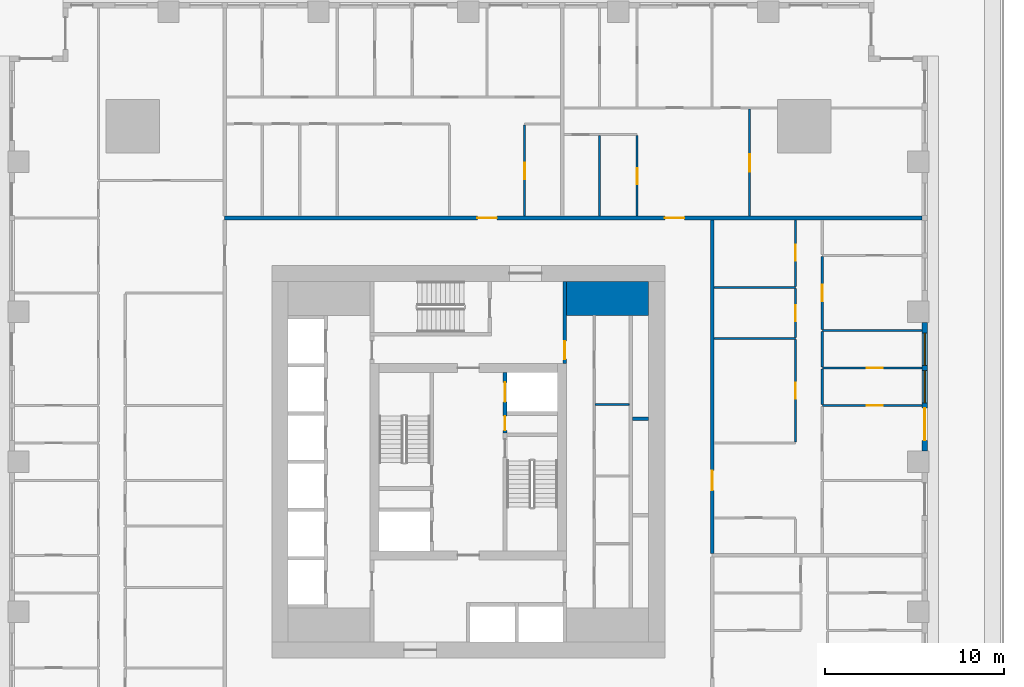
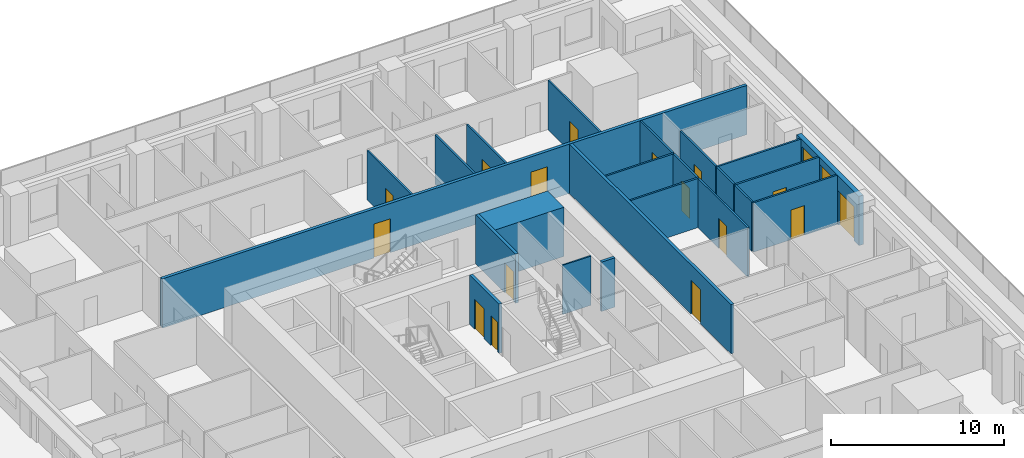
# One storey, part 9 of 16: 23 walls, 16 doors, 2 windows, 18 openings.
"""IFC4 building model written with IfcOpenShell, lengths in metres."""

from ifc_helpers import new_model, si_unit, direction, frame, frame_2d, origin, place, context, subcontext, project, spatial, rectangle, extrude, material, layer, layer_set, type_object, element, fill, save


model = new_model("IFC4")

# Units and contexts
model_context = context("Model", 3, precision=1e-05, world=origin(), true_north=direction((0.0, 1.0)))
body_context = subcontext(model_context, "Body", "Model", "MODEL_VIEW")
ifc_project = project(units=[si_unit("LENGTHUNIT", "METRE"), si_unit("AREAUNIT", "SQUARE_METRE"), si_unit("VOLUMEUNIT", "CUBIC_METRE"), si_unit("PLANEANGLEUNIT", "RADIAN"), si_unit("MASSUNIT", "GRAM", prefix="KILO")], contexts=[model_context])

# Site, building, storey
site_placement = place(None, origin())
site = spatial("IfcSite", under=ifc_project, at=site_placement, CompositionType="ELEMENT")
building_placement = place(site_placement, origin())
building = spatial("IfcBuilding", under=site, at=building_placement, Name="Khepri Terraces", CompositionType="ELEMENT")
storey_placement = place(building_placement, frame((0.0, 0.0, 27.0)))
storey = spatial("IfcBuildingStorey", under=building, at=storey_placement, Name="L05", CompositionType="ELEMENT", Elevation=27.0)

# Wall
ifc_material_1 = material(Name="Concrete C80/95", Category="concrete")
ifc_layer_1 = layer(ifc_material_1, 1.89990234375, Name="Concrete C80/95", Category="concrete")
ifc_layer_set_1 = layer_set([ifc_layer_1], Name="Concrete C80/95")
wall_type_1 = type_object("IfcWallType", Name="Core wall 1900 C80/95", PredefinedType="SHEAR", material=ifc_layer_set_1)
wall_1_placement = place(storey_placement, frame((5.5, 9.14990234375, 0.0), z_axis=(0.0, 0.0, 1.0), x_axis=(1.0, 0.0, 0.0)))
element("IfcWall", 1, at=wall_1_placement, inside=storey, type_object=wall_type_1, Name="Core wall PR04 L05", PredefinedType="SHEAR", context=body_context, shape_type="SweptSolid", body=[
    extrude(rectangle(XDim=4.60009765625, YDim=1.89990234375, at=frame_2d((2.300048828125, 0.0))), origin(), (0.0, 0.0, 1.0), 3.47998046875),
])

# Wall, openings, doors
ifc_layer_2 = layer(ifc_material_1, 0.199951171875, Name="Concrete C80/95", Category="concrete")
ifc_layer_set_2 = layer_set([ifc_layer_2], Name="Concrete C80/95")
wall_type_2 = type_object("IfcWallType", Name="Core wall 200 C80/95", PredefinedType="SHEAR", material=ifc_layer_set_2)
wall_2_placement = place(storey_placement, frame((2.050048828125, 1.60009765625, 0.0), z_axis=(0.0, 0.0, 1.0), x_axis=(0.0, 1.0, 0.0)))
wall_2 = element("IfcWall", 2, at=wall_2_placement, inside=storey, type_object=wall_type_2, Name="Core wall SH15 L05", PredefinedType="SHEAR", context=body_context, shape_type="SweptSolid", body=[
    extrude(rectangle(XDim=3.39990234375, YDim=0.199951171875, at=frame_2d((1.699951171875, 0.0))), origin(), (0.0, 0.0, 1.0), 3.47998046875),
])
opening_1_placement = place(wall_2_placement, frame((1.75, 0.0, 0.0)))
opening_1 = element("IfcOpeningElement", 3, at=opening_1_placement, cuts=wall_2, Name="Opening L05-C07", PredefinedType="OPENING", context=body_context, shape_type="SweptSolid", body=[
    extrude(rectangle(XDim=1.10009765625, YDim=2.10009765625, at=frame_2d((0.550048828125, 1.050048828125))), frame((0.0, 0.10986328125, 0.0), z_axis=(0.0, -1.0, 0.0), x_axis=(1.0, 0.0, 0.0)), (0.0, 0.0, 1.0), 0.219970703125),
])
opening_2_placement = place(wall_2_placement, frame((0.14990234375, 0.0, 0.0)))
opening_2 = element("IfcOpeningElement", 4, at=opening_2_placement, cuts=wall_2, Name="Opening L05-C11", PredefinedType="OPENING", context=body_context, shape_type="SweptSolid", body=[
    extrude(rectangle(XDim=0.800048828125, YDim=2.10009765625, at=frame_2d((0.39990234375, 1.050048828125))), frame((0.0, 0.10986328125, 0.0), z_axis=(0.0, -1.0, 0.0), x_axis=(1.0, 0.0, 0.0)), (0.0, 0.0, 1.0), 0.219970703125),
])
ifc_material_2 = material(Name="Stainless steel 304", Category="steel")
door_type_1 = type_object("IfcDoorType", Name="DR-CORE-FF-LANDING-1100", OperationType="NOTDEFINED", PredefinedType="DOOR", material=ifc_material_2)
door_1_placement = place(opening_1_placement, origin())
door_1 = element("IfcDoor", 5, at=door_1_placement, inside=storey, type_object=door_type_1, Name="Firefighting lift landing door L05-C07", OperationType="SLIDING_TO_LEFT", OverallHeight=2.10009765625, OverallWidth=1.10009765625, PredefinedType="DOOR", context=body_context, shape_type="SweptSolid", body=[
    extrude(rectangle(XDim=1.10009765625, YDim=2.10009765625, at=frame_2d((0.550048828125, 1.050048828125))), frame((0.0, 0.02490234375, 0.0), z_axis=(0.0, -1.0, 0.0), x_axis=(1.0, 0.0, 0.0)), (0.0, 0.0, 1.0), 0.050048828125),
])
fill(opening_1, door_1)
ifc_material_3 = material(Name="Painted steel", Category="steel")
door_type_2 = type_object("IfcDoorType", Name="DR-CORE-RISER-800", OperationType="NOTDEFINED", PredefinedType="DOOR", material=ifc_material_3)
door_2_placement = place(opening_2_placement, frame((0.800048828125, 0.0, 0.0), z_axis=(0.0, 0.0, 1.0), x_axis=(-1.0, 0.0, 0.0)))
door_2 = element("IfcDoor", 6, at=door_2_placement, inside=storey, type_object=door_type_2, Name="Riser door L05-C11", OperationType="SINGLE_SWING_RIGHT", OverallHeight=2.10009765625, OverallWidth=0.800048828125, PredefinedType="DOOR", context=body_context, shape_type="SweptSolid", body=[
    extrude(rectangle(XDim=0.800048828125, YDim=2.10009765625, at=frame_2d((0.39990234375, 1.050048828125))), frame((0.0, 0.02490234375, 0.0), z_axis=(0.0, -1.0, 0.0), x_axis=(1.0, 0.0, 0.0)), (0.0, 0.0, 1.0), 0.050048828125),
])
fill(opening_2, door_2)

# Walls
wall_3_placement = place(storey_placement, frame((9.199951171875, 2.39990234375, 0.0), z_axis=(0.0, 0.0, 1.0), x_axis=(1.0, 0.0, 0.0)))
element("IfcWall", 7, at=wall_3_placement, inside=storey, type_object=wall_type_2, Name="Core wall SH16 L05", PredefinedType="SHEAR", context=body_context, shape_type="SweptSolid", body=[
    extrude(rectangle(XDim=0.900146484375, YDim=0.199951171875, at=frame_2d((0.4501953125, 0.0))), origin(), (0.0, 0.0, 1.0), 3.47998046875),
])
ifc_material_4 = material(Name="Fire-rated gypsum board partition")
ifc_layer_3 = layer(ifc_material_4, 0.10009765625, Name="Fire-rated gypsum board partition")
ifc_layer_set_3 = layer_set([ifc_layer_3], Name="Fire-rated gypsum board partition")
wall_type_3 = type_object("IfcWallType", Name="WL-CORE-PART-100", PredefinedType="PARTITIONING", material=ifc_layer_set_3)
wall_4_placement = place(storey_placement, frame((7.10009765625, 3.199951171875, 0.0), z_axis=(0.0, 0.0, 1.0), x_axis=(1.0, 0.0, 0.0)))
element("IfcWall", 8, at=wall_4_placement, inside=storey, type_object=wall_type_3, Name="Core partition PT06 L05", PredefinedType="PARTITIONING", context=body_context, shape_type="SweptSolid", body=[
    extrude(rectangle(XDim=1.89990234375, YDim=0.10009765625, at=frame_2d((0.949951171875, 0.0))), origin(), (0.0, 0.0, 1.0), 3.47998046875),
])

# Wall, opening, door
ifc_layer_4 = layer(ifc_material_4, 0.199951171875, Name="Fire-rated gypsum board partition")
ifc_layer_set_4 = layer_set([ifc_layer_4], Name="Fire-rated gypsum board partition")
wall_type_4 = type_object("IfcWallType", Name="WL-CORE-PART-200", PredefinedType="PARTITIONING", material=ifc_layer_set_4)
wall_5_placement = place(storey_placement, frame((5.39990234375, 5.5, 0.0), z_axis=(0.0, 0.0, 1.0), x_axis=(0.0, 1.0, 0.0)))
wall_5 = element("IfcWall", 9, at=wall_5_placement, inside=storey, type_object=wall_type_4, Name="Core partition PT08 L05", PredefinedType="PARTITIONING", context=body_context, shape_type="SweptSolid", body=[
    extrude(rectangle(XDim=4.60009765625, YDim=0.199951171875, at=frame_2d((2.300048828125, 0.0))), origin(), (0.0, 0.0, 1.0), 3.47998046875),
])
opening_3_placement = place(wall_5_placement, frame((0.25, 0.0, 0.0)))
opening_3 = element("IfcOpeningElement", 10, at=opening_3_placement, cuts=wall_5, Name="Opening L05-C17", PredefinedType="OPENING", context=body_context, shape_type="SweptSolid", body=[
    extrude(rectangle(XDim=1.0, YDim=2.10009765625, at=frame_2d((0.5, 1.050048828125))), frame((0.0, 0.10986328125, 0.0), z_axis=(0.0, -1.0, 0.0), x_axis=(1.0, 0.0, 0.0)), (0.0, 0.0, 1.0), 0.219970703125),
])
door_type_3 = type_object("IfcDoorType", Name="DR-CORE-LOBBY-1000", OperationType="NOTDEFINED", PredefinedType="DOOR", material=ifc_material_3)
door_3_placement = place(opening_3_placement, origin())
door_3 = element("IfcDoor", 11, at=door_3_placement, inside=storey, type_object=door_type_3, Name="Lobby door L05-C17", OperationType="SINGLE_SWING_LEFT", OverallHeight=2.10009765625, OverallWidth=1.0, PredefinedType="DOOR", context=body_context, shape_type="SweptSolid", body=[
    extrude(rectangle(XDim=1.0, YDim=2.10009765625, at=frame_2d((0.5, 1.050048828125))), frame((0.0, 0.02490234375, 0.0), z_axis=(0.0, -1.0, 0.0), x_axis=(1.0, 0.0, 0.0)), (0.0, 0.0, 1.0), 0.050048828125),
])
fill(opening_3, door_3)

ifc_material_5 = material(Name="Fire-rated gypsum plasterboard partition, mineral wool")
ifc_layer_5 = layer(ifc_material_5, 0.199951171875, Name="Fire-rated gypsum plasterboard partition, mineral wool")
ifc_layer_set_5 = layer_set([ifc_layer_5], Name="Fire-rated gypsum plasterboard partition, mineral wool")
wall_type_5 = type_object("IfcWallType", Name="WL-CORR-200", PredefinedType="PARTITIONING", material=ifc_layer_set_5)
wall_6_placement = place(storey_placement, frame((13.64990234375, -5.14990234375, 0.0), z_axis=(0.0, 0.0, 1.0), x_axis=(0.0, 1.0, 0.0)))
wall_6 = element("IfcWall", 12, at=wall_6_placement, inside=storey, type_object=wall_type_5, Name="Partition P-048 L05", PredefinedType="PARTITIONING", context=body_context, shape_type="SweptSolid", body=[
    extrude(rectangle(XDim=18.699951171875, YDim=0.199951171875, at=frame_2d((9.35009765625, 0.0))), origin(), (0.0, 0.0, 1.0), 3.47998046875),
])
opening_4_placement = place(wall_6_placement, frame((3.550048828125, 0.0, 0.0)))
opening_4 = element("IfcOpeningElement", 13, at=opening_4_placement, cuts=wall_6, Name="Opening D1", PredefinedType="OPENING", context=body_context, shape_type="SweptSolid", body=[
    extrude(rectangle(XDim=1.10009765625, YDim=2.39990234375, at=frame_2d((0.550048828125, 1.199951171875))), frame((0.0, 0.10986328125, 0.0), z_axis=(0.0, -1.0, 0.0), x_axis=(1.0, 0.0, 0.0)), (0.0, 0.0, 1.0), 0.219970703125),
])
ifc_material_6 = material(Name="Solid-core timber door leaf, flat entrance door", Category="wood")
door_type_4 = type_object("IfcDoorType", Name="DR-ENT-1100", OperationType="NOTDEFINED", PredefinedType="DOOR", material=ifc_material_6)
door_4_placement = place(opening_4_placement, frame((1.10009765625, 0.0, 0.0), z_axis=(0.0, 0.0, 1.0), x_axis=(-1.0, 0.0, 0.0)))
door_4 = element("IfcDoor", 14, at=door_4_placement, inside=storey, type_object=door_type_4, Name="Flat B2 entrance door", OperationType="SINGLE_SWING_RIGHT", OverallHeight=2.39990234375, OverallWidth=1.10009765625, PredefinedType="DOOR", context=body_context, shape_type="SweptSolid", body=[
    extrude(rectangle(XDim=1.10009765625, YDim=2.39990234375, at=frame_2d((0.550048828125, 1.199951171875))), frame((0.0, 0.02490234375, 0.0), z_axis=(0.0, -1.0, 0.0), x_axis=(1.0, 0.0, 0.0)), (0.0, 0.0, 1.0), 0.050048828125),
])
fill(opening_4, door_4)

# Wall, openings, doors
wall_7_placement = place(storey_placement, frame((-13.64990234375, 13.64990234375, 0.0), z_axis=(0.0, 0.0, 1.0), x_axis=(1.0, 0.0, 0.0)))
wall_7 = element("IfcWall", 15, at=wall_7_placement, inside=storey, type_object=wall_type_5, Name="Partition P-084 L05", PredefinedType="PARTITIONING", context=body_context, shape_type="SweptSolid", body=[
    extrude(rectangle(XDim=39.06982421875, YDim=0.199951171875, at=frame_2d((19.534912109375, 0.0))), origin(), (0.0, 0.0, 1.0), 3.47998046875),
])
opening_5_placement = place(wall_7_placement, frame((24.64990234375, 0.0, 0.0)))
opening_5 = element("IfcOpeningElement", 16, at=opening_5_placement, cuts=wall_7, Name="Opening D1", PredefinedType="OPENING", context=body_context, shape_type="SweptSolid", body=[
    extrude(rectangle(XDim=1.10009765625, YDim=2.39990234375, at=frame_2d((0.550048828125, 1.199951171875))), frame((0.0, 0.10986328125, 0.0), z_axis=(0.0, -1.0, 0.0), x_axis=(1.0, 0.0, 0.0)), (0.0, 0.0, 1.0), 0.219970703125),
])
opening_6_placement = place(wall_7_placement, frame((14.14990234375, 0.0, 0.0)))
opening_6 = element("IfcOpeningElement", 17, at=opening_6_placement, cuts=wall_7, Name="Opening D1", PredefinedType="OPENING", context=body_context, shape_type="SweptSolid", body=[
    extrude(rectangle(XDim=1.10009765625, YDim=2.39990234375, at=frame_2d((0.550048828125, 1.199951171875))), frame((0.0, 0.10986328125, 0.0), z_axis=(0.0, -1.0, 0.0), x_axis=(1.0, 0.0, 0.0)), (0.0, 0.0, 1.0), 0.219970703125),
])
door_5_placement = place(opening_5_placement, origin())
door_5 = element("IfcDoor", 18, at=door_5_placement, inside=storey, type_object=door_type_4, Name="Flat C1 entrance door", OperationType="SINGLE_SWING_RIGHT", OverallHeight=2.39990234375, OverallWidth=1.10009765625, PredefinedType="DOOR", context=body_context, shape_type="SweptSolid", body=[
    extrude(rectangle(XDim=1.10009765625, YDim=2.39990234375, at=frame_2d((0.550048828125, 1.199951171875))), frame((0.0, 0.02490234375, 0.0), z_axis=(0.0, -1.0, 0.0), x_axis=(1.0, 0.0, 0.0)), (0.0, 0.0, 1.0), 0.050048828125),
])
fill(opening_5, door_5)
door_6_placement = place(opening_6_placement, origin())
door_6 = element("IfcDoor", 19, at=door_6_placement, inside=storey, type_object=door_type_4, Name="Flat C2 entrance door", OperationType="SINGLE_SWING_LEFT", OverallHeight=2.39990234375, OverallWidth=1.10009765625, PredefinedType="DOOR", context=body_context, shape_type="SweptSolid", body=[
    extrude(rectangle(XDim=1.10009765625, YDim=2.39990234375, at=frame_2d((0.550048828125, 1.199951171875))), frame((0.0, 0.02490234375, 0.0), z_axis=(0.0, -1.0, 0.0), x_axis=(1.0, 0.0, 0.0)), (0.0, 0.0, 1.0), 0.050048828125),
])
fill(opening_6, door_6)

# Wall, openings, door, windows
ifc_material_7 = material(Name="Precast concrete C50/60 warm stone", Category="masonry")
ifc_layer_6 = layer(ifc_material_7, 0.300048828125, Name="Precast concrete C50/60 warm stone", Category="masonry")
ifc_layer_set_6 = layer_set([ifc_layer_6], Name="Precast concrete C50/60 warm stone")
wall_type_6 = type_object("IfcWallType", Name="WL-EXT-PRECAST-300", PredefinedType="STANDARD", material=ifc_layer_set_6)
wall_8_placement = place(storey_placement, frame((25.570068359375, 0.60009765625, 0.0), z_axis=(0.0, 0.0, 1.0), x_axis=(0.0, 1.0, 0.0)))
wall_8 = element("IfcWall", 20, at=wall_8_placement, inside=storey, type_object=wall_type_6, Name="External wall L05 E", PredefinedType="STANDARD", context=body_context, shape_type="SweptSolid", body=[
    extrude(rectangle(XDim=7.199951171875, YDim=0.300048828125, at=frame_2d((3.60009765625, 0.0))), origin(), (0.0, 0.0, 1.0), 3.47998046875),
])
opening_7_placement = place(wall_8_placement, frame((0.60009765625, 0.0, 0.0)))
opening_7 = element("IfcOpeningElement", 21, at=opening_7_placement, cuts=wall_8, Name="Opening ED-L05-06", PredefinedType="OPENING", context=body_context, shape_type="SweptSolid", body=[
    extrude(rectangle(XDim=1.800048828125, YDim=2.39990234375, at=frame_2d((0.89990234375, 1.199951171875))), frame((0.0, 0.16015625, 0.0), z_axis=(0.0, -1.0, 0.0), x_axis=(1.0, 0.0, 0.0)), (0.0, 0.0, 1.0), 0.320068359375),
])
opening_8_placement = place(wall_8_placement, frame((2.699951171875, 0.0, 0.89990234375)))
opening_8 = element("IfcOpeningElement", 22, at=opening_8_placement, cuts=wall_8, Name="Opening W1", PredefinedType="OPENING", context=body_context, shape_type="SweptSolid", body=[
    extrude(rectangle(XDim=1.800048828125, YDim=2.10009765625, at=frame_2d((0.89990234375, 1.050048828125))), frame((0.0, 0.16015625, 0.0), z_axis=(0.0, -1.0, 0.0), x_axis=(1.0, 0.0, 0.0)), (0.0, 0.0, 1.0), 0.320068359375),
])
opening_9_placement = place(wall_8_placement, frame((4.800048828125, 0.0, 0.89990234375)))
opening_9 = element("IfcOpeningElement", 23, at=opening_9_placement, cuts=wall_8, Name="Opening W1", PredefinedType="OPENING", context=body_context, shape_type="SweptSolid", body=[
    extrude(rectangle(XDim=1.800048828125, YDim=2.10009765625, at=frame_2d((0.89990234375, 1.050048828125))), frame((0.0, 0.16015625, 0.0), z_axis=(0.0, -1.0, 0.0), x_axis=(1.0, 0.0, 0.0)), (0.0, 0.0, 1.0), 0.320068359375),
])
ifc_material_8 = material(Name="Anodised aluminium bronze glazed door", Category="aluminium")
door_type_5 = type_object("IfcDoorType", Name="DR-BAL-SLIDE-1800x2400", OperationType="NOTDEFINED", PredefinedType="DOOR", material=ifc_material_8)
door_7_placement = place(opening_7_placement, origin())
door_7 = element("IfcDoor", 24, at=door_7_placement, inside=storey, type_object=door_type_5, Name="Balcony door L05 E", OperationType="SLIDING_TO_LEFT", OverallHeight=2.39990234375, OverallWidth=1.800048828125, PredefinedType="DOOR", context=body_context, shape_type="SweptSolid", body=[
    extrude(rectangle(XDim=1.800048828125, YDim=2.39990234375, at=frame_2d((0.89990234375, 1.199951171875))), frame((0.0, 0.02490234375, 0.0), z_axis=(0.0, -1.0, 0.0), x_axis=(1.0, 0.0, 0.0)), (0.0, 0.0, 1.0), 0.050048828125),
])
fill(opening_7, door_7)
ifc_material_9 = material(Name="Clear glass", Category="glass")
window_type = type_object("IfcWindowType", Name="WIN-RES-1800x2100", PartitioningType="SINGLE_PANEL", PredefinedType="WINDOW", material=ifc_material_9)
window_1_placement = place(opening_8_placement, origin())
window_1 = element("IfcWindow", 25, at=window_1_placement, inside=storey, type_object=window_type, Name="Window L05 E", OverallHeight=2.10009765625, OverallWidth=1.800048828125, PartitioningType="SINGLE_PANEL", PredefinedType="WINDOW", context=body_context, shape_type="SweptSolid", body=[
    extrude(rectangle(XDim=1.800048828125, YDim=2.10009765625, at=frame_2d((0.89990234375, 1.050048828125))), frame((0.0, 0.030029296875, 0.0), z_axis=(0.0, -1.0, 0.0), x_axis=(1.0, 0.0, 0.0)), (0.0, 0.0, 1.0), 0.06005859375),
])
fill(opening_8, window_1)
window_2_placement = place(opening_9_placement, origin())
window_2 = element("IfcWindow", 26, at=window_2_placement, inside=storey, type_object=window_type, Name="Window L05 E", OverallHeight=2.10009765625, OverallWidth=1.800048828125, PartitioningType="SINGLE_PANEL", PredefinedType="WINDOW", context=body_context, shape_type="SweptSolid", body=[
    extrude(rectangle(XDim=1.800048828125, YDim=2.10009765625, at=frame_2d((0.89990234375, 1.050048828125))), frame((0.0, 0.030029296875, 0.0), z_axis=(0.0, -1.0, 0.0), x_axis=(1.0, 0.0, 0.0)), (0.0, 0.0, 1.0), 0.06005859375),
])
fill(opening_9, window_2)

# Wall, opening, door
ifc_material_10 = material(Name="Gypsum plasterboard partition")
ifc_layer_7 = layer(ifc_material_10, 0.1201171875, Name="Gypsum plasterboard partition")
ifc_layer_set_7 = layer_set([ifc_layer_7], Name="Gypsum plasterboard partition")
wall_type_7 = type_object("IfcWallType", Name="WL-PART-120", PredefinedType="PARTITIONING", material=ifc_layer_set_7)
wall_9_placement = place(storey_placement, frame((18.320068359375, 1.110107421875, 0.0), z_axis=(0.0, 0.0, 1.0), x_axis=(0.0, 1.0, 0.0)))
wall_9 = element("IfcWall", 27, at=wall_9_placement, inside=storey, type_object=wall_type_7, Name="Partition P-063 L05", PredefinedType="PARTITIONING", context=body_context, shape_type="SweptSolid", body=[
    extrude(rectangle(XDim=5.72998046875, YDim=0.1201171875, at=frame_2d((2.864990234375, 0.0))), origin(), (0.0, 0.0, 1.0), 3.47998046875),
])
opening_10_placement = place(wall_9_placement, frame((2.4150390625, 0.0, 0.0)))
opening_10 = element("IfcOpeningElement", 28, at=opening_10_placement, cuts=wall_9, Name="Opening D3", PredefinedType="OPENING", context=body_context, shape_type="SweptSolid", body=[
    extrude(rectangle(XDim=0.89990234375, YDim=2.10009765625, at=frame_2d((0.449951171875, 1.050048828125))), frame((0.0, 0.070068359375, 0.0), z_axis=(0.0, -1.0, 0.0), x_axis=(1.0, 0.0, 0.0)), (0.0, 0.0, 1.0), 0.14013671875),
])
ifc_material_11 = material(Name="Timber door leaf", Category="wood")
door_type_6 = type_object("IfcDoorType", Name="DR-INT-900", OperationType="NOTDEFINED", PredefinedType="DOOR", material=ifc_material_11)
door_8_placement = place(opening_10_placement, origin())
door_8 = element("IfcDoor", 29, at=door_8_placement, inside=storey, type_object=door_type_6, Name="Door Kitchen", OperationType="SINGLE_SWING_RIGHT", OverallHeight=2.10009765625, OverallWidth=0.89990234375, PredefinedType="DOOR", context=body_context, shape_type="SweptSolid", body=[
    extrude(rectangle(XDim=0.89990234375, YDim=2.10009765625, at=frame_2d((0.449951171875, 1.050048828125))), frame((0.0, 0.02490234375, 0.0), z_axis=(0.0, -1.0, 0.0), x_axis=(1.0, 0.0, 0.0)), (0.0, 0.0, 1.0), 0.050048828125),
])
fill(opening_10, door_8)

wall_10_placement = place(storey_placement, frame((19.820068359375, 3.14990234375, 0.0), z_axis=(0.0, 0.0, 1.0), x_axis=(1.0, 0.0, 0.0)))
wall_10 = element("IfcWall", 30, at=wall_10_placement, inside=storey, type_object=wall_type_7, Name="Partition P-066 L05", PredefinedType="PARTITIONING", context=body_context, shape_type="SweptSolid", body=[
    extrude(rectangle(XDim=5.599853515625, YDim=0.1201171875, at=frame_2d((2.7998046875, 0.0))), origin(), (0.0, 0.0, 1.0), 3.47998046875),
])
opening_11_placement = place(wall_10_placement, frame((2.5, 0.0, 0.0)))
opening_11 = element("IfcOpeningElement", 31, at=opening_11_placement, cuts=wall_10, Name="Opening D3", PredefinedType="OPENING", context=body_context, shape_type="SweptSolid", body=[
    extrude(rectangle(XDim=0.89990234375, YDim=2.10009765625, at=frame_2d((0.449951171875, 1.050048828125))), frame((0.0, 0.070068359375, 0.0), z_axis=(0.0, -1.0, 0.0), x_axis=(1.0, 0.0, 0.0)), (0.0, 0.0, 1.0), 0.14013671875),
])
door_9_placement = place(opening_11_placement, origin())
door_9 = element("IfcDoor", 32, at=door_9_placement, inside=storey, type_object=door_type_6, Name="Door Dressing Room", OperationType="SINGLE_SWING_RIGHT", OverallHeight=2.10009765625, OverallWidth=0.89990234375, PredefinedType="DOOR", context=body_context, shape_type="SweptSolid", body=[
    extrude(rectangle(XDim=0.89990234375, YDim=2.10009765625, at=frame_2d((0.449951171875, 1.050048828125))), frame((0.0, 0.02490234375, 0.0), z_axis=(0.0, -1.0, 0.0), x_axis=(1.0, 0.0, 0.0)), (0.0, 0.0, 1.0), 0.050048828125),
])
fill(opening_11, door_9)

# Wall
wall_11_placement = place(storey_placement, frame((19.820068359375, 3.2099609375, 0.0), z_axis=(0.0, 0.0, 1.0), x_axis=(0.0, 1.0, 0.0)))
element("IfcWall", 33, at=wall_11_placement, inside=storey, type_object=wall_type_7, Name="Partition P-069 L05", PredefinedType="PARTITIONING", context=body_context, shape_type="SweptSolid", body=[
    extrude(rectangle(XDim=1.97998046875, YDim=0.1201171875, at=frame_2d((0.989990234375, 0.0))), origin(), (0.0, 0.0, 1.0), 3.47998046875),
])

# Wall, opening, door
wall_12_placement = place(storey_placement, frame((19.820068359375, 5.25, 0.0), z_axis=(0.0, 0.0, 1.0), x_axis=(1.0, 0.0, 0.0)))
wall_12 = element("IfcWall", 34, at=wall_12_placement, inside=storey, type_object=wall_type_7, Name="Partition P-070 L05", PredefinedType="PARTITIONING", context=body_context, shape_type="SweptSolid", body=[
    extrude(rectangle(XDim=5.599853515625, YDim=0.1201171875, at=frame_2d((2.7998046875, 0.0))), origin(), (0.0, 0.0, 1.0), 3.47998046875),
])
opening_12_placement = place(wall_12_placement, frame((2.5, 0.0, 0.0)))
opening_12 = element("IfcOpeningElement", 35, at=opening_12_placement, cuts=wall_12, Name="Opening D4", PredefinedType="OPENING", context=body_context, shape_type="SweptSolid", body=[
    extrude(rectangle(XDim=0.89990234375, YDim=2.10009765625, at=frame_2d((0.449951171875, 1.050048828125))), frame((0.0, 0.070068359375, 0.0), z_axis=(0.0, -1.0, 0.0), x_axis=(1.0, 0.0, 0.0)), (0.0, 0.0, 1.0), 0.14013671875),
])
ifc_material_12 = material(Name="Timber door leaf, moisture resistant", Category="wood")
door_type_7 = type_object("IfcDoorType", Name="DR-WET-900", OperationType="NOTDEFINED", PredefinedType="DOOR", material=ifc_material_12)
door_10_placement = place(opening_12_placement, origin())
door_10 = element("IfcDoor", 36, at=door_10_placement, inside=storey, type_object=door_type_7, Name="Door Bathroom", OperationType="SINGLE_SWING_RIGHT", OverallHeight=2.10009765625, OverallWidth=0.89990234375, PredefinedType="DOOR", context=body_context, shape_type="SweptSolid", body=[
    extrude(rectangle(XDim=0.89990234375, YDim=2.10009765625, at=frame_2d((0.449951171875, 1.050048828125))), frame((0.0, 0.02490234375, 0.0), z_axis=(0.0, -1.0, 0.0), x_axis=(1.0, 0.0, 0.0)), (0.0, 0.0, 1.0), 0.050048828125),
])
fill(opening_12, door_10)

# Walls
wall_13_placement = place(storey_placement, frame((19.820068359375, 5.31005859375, 0.0), z_axis=(0.0, 0.0, 1.0), x_axis=(0.0, 1.0, 0.0)))
element("IfcWall", 37, at=wall_13_placement, inside=storey, type_object=wall_type_7, Name="Partition P-071 L05", PredefinedType="PARTITIONING", context=body_context, shape_type="SweptSolid", body=[
    extrude(rectangle(XDim=1.97998046875, YDim=0.1201171875, at=frame_2d((0.989990234375, 0.0))), origin(), (0.0, 0.0, 1.0), 3.47998046875),
])
wall_14_placement = place(storey_placement, frame((13.75, 6.89990234375, 0.0), z_axis=(0.0, 0.0, 1.0), x_axis=(1.0, 0.0, 0.0)))
element("IfcWall", 38, at=wall_14_placement, inside=storey, type_object=wall_type_7, Name="Partition P-072 L05", PredefinedType="PARTITIONING", context=body_context, shape_type="SweptSolid", body=[
    extrude(rectangle(XDim=4.570068359375, YDim=0.1201171875, at=frame_2d((2.28515625, 0.0))), origin(), (0.0, 0.0, 1.0), 3.47998046875),
])

# Wall, opening, door
wall_15_placement = place(storey_placement, frame((18.320068359375, 6.9599609375, 0.0), z_axis=(0.0, 0.0, 1.0), x_axis=(0.0, 1.0, 0.0)))
wall_15 = element("IfcWall", 39, at=wall_15_placement, inside=storey, type_object=wall_type_7, Name="Partition P-073 L05", PredefinedType="PARTITIONING", context=body_context, shape_type="SweptSolid", body=[
    extrude(rectangle(XDim=2.72998046875, YDim=0.1201171875, at=frame_2d((1.364990234375, 0.0))), origin(), (0.0, 0.0, 1.0), 3.47998046875),
])
opening_13_placement = place(wall_15_placement, frame((0.9150390625, 0.0, 0.0)))
opening_13 = element("IfcOpeningElement", 40, at=opening_13_placement, cuts=wall_15, Name="Opening D4", PredefinedType="OPENING", context=body_context, shape_type="SweptSolid", body=[
    extrude(rectangle(XDim=0.89990234375, YDim=2.10009765625, at=frame_2d((0.449951171875, 1.050048828125))), frame((0.0, 0.070068359375, 0.0), z_axis=(0.0, -1.0, 0.0), x_axis=(1.0, 0.0, 0.0)), (0.0, 0.0, 1.0), 0.14013671875),
])
door_11_placement = place(opening_13_placement, origin())
door_11 = element("IfcDoor", 41, at=door_11_placement, inside=storey, type_object=door_type_7, Name="Door Powder Room", OperationType="SINGLE_SWING_LEFT", OverallHeight=2.10009765625, OverallWidth=0.89990234375, PredefinedType="DOOR", context=body_context, shape_type="SweptSolid", body=[
    extrude(rectangle(XDim=0.89990234375, YDim=2.10009765625, at=frame_2d((0.449951171875, 1.050048828125))), frame((0.0, 0.02490234375, 0.0), z_axis=(0.0, -1.0, 0.0), x_axis=(1.0, 0.0, 0.0)), (0.0, 0.0, 1.0), 0.050048828125),
])
fill(opening_13, door_11)

# Wall
wall_16_placement = place(storey_placement, frame((19.820068359375, 7.35009765625, 0.0), z_axis=(0.0, 0.0, 1.0), x_axis=(1.0, 0.0, 0.0)))
element("IfcWall", 42, at=wall_16_placement, inside=storey, type_object=wall_type_7, Name="Partition P-074 L05", PredefinedType="PARTITIONING", context=body_context, shape_type="SweptSolid", body=[
    extrude(rectangle(XDim=5.599853515625, YDim=0.1201171875, at=frame_2d((2.7998046875, 0.0))), origin(), (0.0, 0.0, 1.0), 3.47998046875),
])

# Wall, opening, door
wall_17_placement = place(storey_placement, frame((19.820068359375, 7.409912109375, 0.0), z_axis=(0.0, 0.0, 1.0), x_axis=(0.0, 1.0, 0.0)))
wall_17 = element("IfcWall", 43, at=wall_17_placement, inside=storey, type_object=wall_type_7, Name="Partition P-075 L05", PredefinedType="PARTITIONING", context=body_context, shape_type="SweptSolid", body=[
    extrude(rectangle(XDim=4.080078125, YDim=0.1201171875, at=frame_2d((2.0400390625, 0.0))), origin(), (0.0, 0.0, 1.0), 3.47998046875),
])
opening_14_placement = place(wall_17_placement, frame((1.590087890625, 0.0, 0.0)))
opening_14 = element("IfcOpeningElement", 44, at=opening_14_placement, cuts=wall_17, Name="Opening D3", PredefinedType="OPENING", context=body_context, shape_type="SweptSolid", body=[
    extrude(rectangle(XDim=0.89990234375, YDim=2.10009765625, at=frame_2d((0.449951171875, 1.050048828125))), frame((0.0, 0.070068359375, 0.0), z_axis=(0.0, -1.0, 0.0), x_axis=(1.0, 0.0, 0.0)), (0.0, 0.0, 1.0), 0.14013671875),
])
door_12_placement = place(opening_14_placement, frame((0.89990234375, 0.0, 0.0), z_axis=(0.0, 0.0, 1.0), x_axis=(-1.0, 0.0, 0.0)))
door_12 = element("IfcDoor", 45, at=door_12_placement, inside=storey, type_object=door_type_6, Name="Door Bedroom", OperationType="SINGLE_SWING_RIGHT", OverallHeight=2.10009765625, OverallWidth=0.89990234375, PredefinedType="DOOR", context=body_context, shape_type="SweptSolid", body=[
    extrude(rectangle(XDim=0.89990234375, YDim=2.10009765625, at=frame_2d((0.449951171875, 1.050048828125))), frame((0.0, 0.02490234375, 0.0), z_axis=(0.0, -1.0, 0.0), x_axis=(1.0, 0.0, 0.0)), (0.0, 0.0, 1.0), 0.050048828125),
])
fill(opening_14, door_12)

# Wall
wall_18_placement = place(storey_placement, frame((13.75, 9.75, 0.0), z_axis=(0.0, 0.0, 1.0), x_axis=(1.0, 0.0, 0.0)))
element("IfcWall", 46, at=wall_18_placement, inside=storey, type_object=wall_type_7, Name="Partition P-079 L05", PredefinedType="PARTITIONING", context=body_context, shape_type="SweptSolid", body=[
    extrude(rectangle(XDim=4.570068359375, YDim=0.1201171875, at=frame_2d((2.28515625, 0.0))), origin(), (0.0, 0.0, 1.0), 3.47998046875),
])

# Wall, opening, door
wall_19_placement = place(storey_placement, frame((18.320068359375, 9.81005859375, 0.0), z_axis=(0.0, 0.0, 1.0), x_axis=(0.0, 1.0, 0.0)))
wall_19 = element("IfcWall", 47, at=wall_19_placement, inside=storey, type_object=wall_type_7, Name="Partition P-080 L05", PredefinedType="PARTITIONING", context=body_context, shape_type="SweptSolid", body=[
    extrude(rectangle(XDim=3.739990234375, YDim=0.1201171875, at=frame_2d((1.8701171875, 0.0))), origin(), (0.0, 0.0, 1.0), 3.47998046875),
])
opening_15_placement = place(wall_19_placement, frame((1.43994140625, 0.0, 0.0)))
opening_15 = element("IfcOpeningElement", 48, at=opening_15_placement, cuts=wall_19, Name="Opening D4", PredefinedType="OPENING", context=body_context, shape_type="SweptSolid", body=[
    extrude(rectangle(XDim=0.89990234375, YDim=2.10009765625, at=frame_2d((0.449951171875, 1.050048828125))), frame((0.0, 0.070068359375, 0.0), z_axis=(0.0, -1.0, 0.0), x_axis=(1.0, 0.0, 0.0)), (0.0, 0.0, 1.0), 0.14013671875),
])
door_13_placement = place(opening_15_placement, origin())
door_13 = element("IfcDoor", 49, at=door_13_placement, inside=storey, type_object=door_type_7, Name="Door Guest Bathroom", OperationType="SINGLE_SWING_RIGHT", OverallHeight=2.10009765625, OverallWidth=0.89990234375, PredefinedType="DOOR", context=body_context, shape_type="SweptSolid", body=[
    extrude(rectangle(XDim=0.89990234375, YDim=2.10009765625, at=frame_2d((0.449951171875, 1.050048828125))), frame((0.0, 0.02490234375, 0.0), z_axis=(0.0, -1.0, 0.0), x_axis=(1.0, 0.0, 0.0)), (0.0, 0.0, 1.0), 0.050048828125),
])
fill(opening_15, door_13)

wall_20_placement = place(storey_placement, frame((3.14990234375, 13.75, 0.0), z_axis=(0.0, 0.0, 1.0), x_axis=(0.0, 1.0, 0.0)))
wall_20 = element("IfcWall", 50, at=wall_20_placement, inside=storey, type_object=wall_type_7, Name="Partition P-091 L05", PredefinedType="PARTITIONING", context=body_context, shape_type="SweptSolid", body=[
    extrude(rectangle(XDim=5.110107421875, YDim=0.1201171875, at=frame_2d((2.55517578125, 0.0))), origin(), (0.0, 0.0, 1.0), 3.47998046875),
])
opening_16_placement = place(wall_20_placement, frame((2.0849609375, 0.0, 0.0)))
opening_16 = element("IfcOpeningElement", 51, at=opening_16_placement, cuts=wall_20, Name="Opening D3", PredefinedType="OPENING", context=body_context, shape_type="SweptSolid", body=[
    extrude(rectangle(XDim=0.89990234375, YDim=2.10009765625, at=frame_2d((0.449951171875, 1.050048828125))), frame((0.0, 0.070068359375, 0.0), z_axis=(0.0, -1.0, 0.0), x_axis=(1.0, 0.0, 0.0)), (0.0, 0.0, 1.0), 0.14013671875),
])
door_14_placement = place(opening_16_placement, frame((0.89990234375, 0.0, 0.0), z_axis=(0.0, 0.0, 1.0), x_axis=(-1.0, 0.0, 0.0)))
door_14 = element("IfcDoor", 52, at=door_14_placement, inside=storey, type_object=door_type_6, Name="Door Utility Room", OperationType="SINGLE_SWING_RIGHT", OverallHeight=2.10009765625, OverallWidth=0.89990234375, PredefinedType="DOOR", context=body_context, shape_type="SweptSolid", body=[
    extrude(rectangle(XDim=0.89990234375, YDim=2.10009765625, at=frame_2d((0.449951171875, 1.050048828125))), frame((0.0, 0.02490234375, 0.0), z_axis=(0.0, -1.0, 0.0), x_axis=(1.0, 0.0, 0.0)), (0.0, 0.0, 1.0), 0.050048828125),
])
fill(opening_16, door_14)

# Wall
wall_21_placement = place(storey_placement, frame((7.35009765625, 13.75, 0.0), z_axis=(0.0, 0.0, 1.0), x_axis=(0.0, 1.0, 0.0)))
element("IfcWall", 53, at=wall_21_placement, inside=storey, type_object=wall_type_7, Name="Partition P-093 L05", PredefinedType="PARTITIONING", context=body_context, shape_type="SweptSolid", body=[
    extrude(rectangle(XDim=4.510009765625, YDim=0.1201171875, at=frame_2d((2.2548828125, 0.0))), origin(), (0.0, 0.0, 1.0), 3.47998046875),
])

# Wall, opening, door
wall_22_placement = place(storey_placement, frame((9.449951171875, 13.75, 0.0), z_axis=(0.0, 0.0, 1.0), x_axis=(0.0, 1.0, 0.0)))
wall_22 = element("IfcWall", 54, at=wall_22_placement, inside=storey, type_object=wall_type_7, Name="Partition P-094 L05", PredefinedType="PARTITIONING", context=body_context, shape_type="SweptSolid", body=[
    extrude(rectangle(XDim=4.510009765625, YDim=0.1201171875, at=frame_2d((2.2548828125, 0.0))), origin(), (0.0, 0.0, 1.0), 3.47998046875),
])
opening_17_placement = place(wall_22_placement, frame((1.784912109375, 0.0, 0.0)))
opening_17 = element("IfcOpeningElement", 55, at=opening_17_placement, cuts=wall_22, Name="Opening D4", PredefinedType="OPENING", context=body_context, shape_type="SweptSolid", body=[
    extrude(rectangle(XDim=0.89990234375, YDim=2.10009765625, at=frame_2d((0.449951171875, 1.050048828125))), frame((0.0, 0.070068359375, 0.0), z_axis=(0.0, -1.0, 0.0), x_axis=(1.0, 0.0, 0.0)), (0.0, 0.0, 1.0), 0.14013671875),
])
door_15_placement = place(opening_17_placement, origin())
door_15 = element("IfcDoor", 56, at=door_15_placement, inside=storey, type_object=door_type_7, Name="Door Guest Bathroom", OperationType="SINGLE_SWING_LEFT", OverallHeight=2.10009765625, OverallWidth=0.89990234375, PredefinedType="DOOR", context=body_context, shape_type="SweptSolid", body=[
    extrude(rectangle(XDim=0.89990234375, YDim=2.10009765625, at=frame_2d((0.449951171875, 1.050048828125))), frame((0.0, 0.02490234375, 0.0), z_axis=(0.0, -1.0, 0.0), x_axis=(1.0, 0.0, 0.0)), (0.0, 0.0, 1.0), 0.050048828125),
])
fill(opening_17, door_15)

wall_23_placement = place(storey_placement, frame((15.75, 13.75, 0.0), z_axis=(0.0, 0.0, 1.0), x_axis=(0.0, 1.0, 0.0)))
wall_23 = element("IfcWall", 57, at=wall_23_placement, inside=storey, type_object=wall_type_7, Name="Partition P-095 L05", PredefinedType="PARTITIONING", context=body_context, shape_type="SweptSolid", body=[
    extrude(rectangle(XDim=6.010009765625, YDim=0.1201171875, at=frame_2d((3.0048828125, 0.0))), origin(), (0.0, 0.0, 1.0), 3.47998046875),
])
opening_18_placement = place(wall_23_placement, frame((2.485107421875, 0.0, 0.0)))
opening_18 = element("IfcOpeningElement", 58, at=opening_18_placement, cuts=wall_23, Name="Opening D2", PredefinedType="OPENING", context=body_context, shape_type="SweptSolid", body=[
    extrude(rectangle(XDim=1.0, YDim=2.10009765625, at=frame_2d((0.5, 1.050048828125))), frame((0.0, 0.070068359375, 0.0), z_axis=(0.0, -1.0, 0.0), x_axis=(1.0, 0.0, 0.0)), (0.0, 0.0, 1.0), 0.14013671875),
])
ifc_material_13 = material(Name="Timber door leaf, living room door", Category="wood")
door_type_8 = type_object("IfcDoorType", Name="DR-INT-1000", OperationType="NOTDEFINED", PredefinedType="DOOR", material=ifc_material_13)
door_16_placement = place(opening_18_placement, frame((1.0, 0.0, 0.0), z_axis=(0.0, 0.0, 1.0), x_axis=(-1.0, 0.0, 0.0)))
door_16 = element("IfcDoor", 59, at=door_16_placement, inside=storey, type_object=door_type_8, Name="Door Family Room", OperationType="SINGLE_SWING_RIGHT", OverallHeight=2.10009765625, OverallWidth=1.0, PredefinedType="DOOR", context=body_context, shape_type="SweptSolid", body=[
    extrude(rectangle(XDim=1.0, YDim=2.10009765625, at=frame_2d((0.5, 1.050048828125))), frame((0.0, 0.02490234375, 0.0), z_axis=(0.0, -1.0, 0.0), x_axis=(1.0, 0.0, 0.0)), (0.0, 0.0, 1.0), 0.050048828125),
])
fill(opening_18, door_16)

save(model, "model.ifc")
